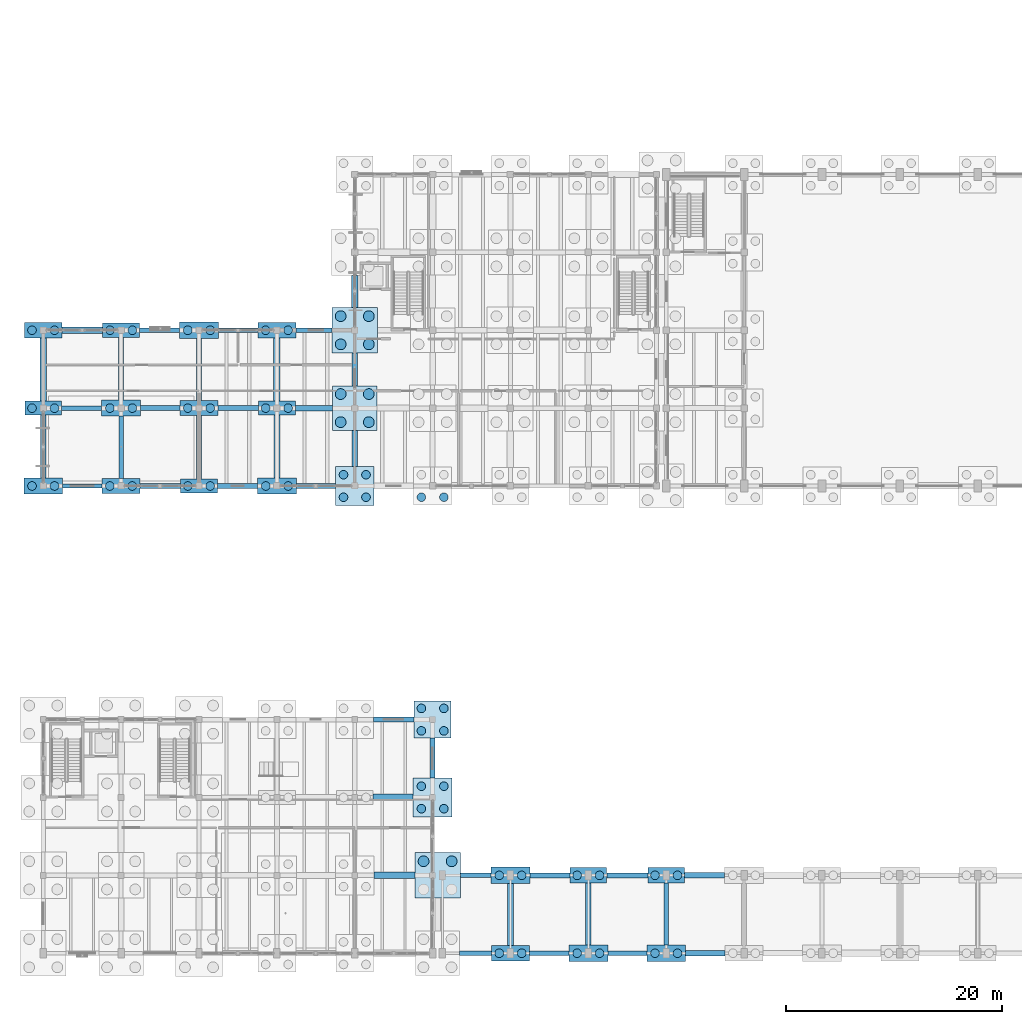
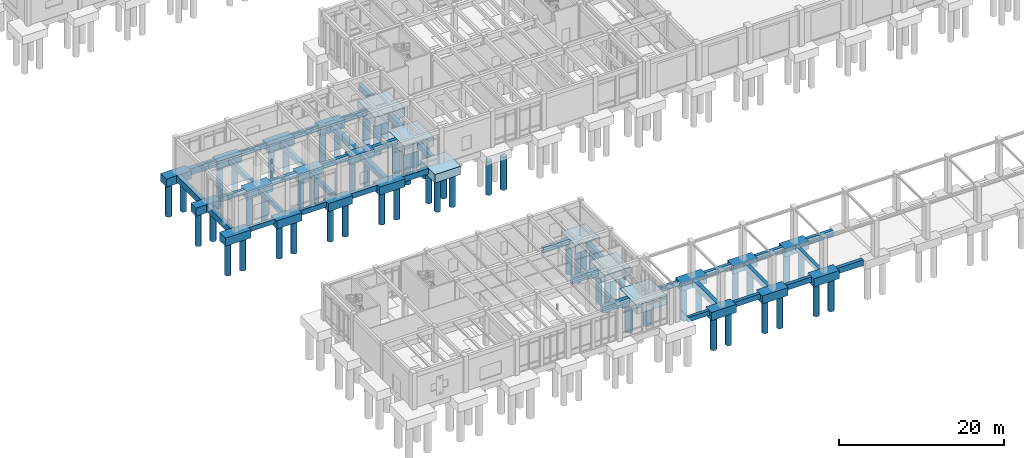
# One storey, part 2 of 93: 62 footings, 60 piles.
"""IFC4 building model written with IfcOpenShell, lengths in metres."""

from ifc_helpers import new_model, si_unit, direction, frame, origin, origin_2d, place, context, subcontext, project, spatial, rectangle, circle, extrude, material, material_profile, profile_set, type_object, element, save


model = new_model("IFC4")

# Units and contexts
model_context = context("Model", 3, precision=1e-05, world=origin(), true_north=direction((0.0, 1.0)))
body_context = subcontext(model_context, "Body", "Model", "MODEL_VIEW")
ifc_project = project(units=[si_unit("LENGTHUNIT", "METRE"), si_unit("AREAUNIT", "SQUARE_METRE"), si_unit("VOLUMEUNIT", "CUBIC_METRE"), si_unit("PLANEANGLEUNIT", "RADIAN"), si_unit("MASSUNIT", "GRAM", prefix="KILO")], contexts=[model_context])

# Site, building, storey
site_placement = place(None, origin())
site = spatial("IfcSite", under=ifc_project, at=site_placement, CompositionType="ELEMENT")
building_placement = place(site_placement, origin())
building = spatial("IfcBuilding", under=site, at=building_placement, Name="Koriwan Promenade Central Fire Station", CompositionType="ELEMENT")
storey_placement = place(building_placement, origin())
storey = spatial("IfcBuildingStorey", under=building, at=storey_placement, Name="L00", CompositionType="ELEMENT", Elevation=0.0)

# Piles
ifc_material = material(Name="Concrete C35/45", Category="concrete")
ifc_material_profile_1 = material_profile(ifc_material, circle(Radius=0.5, at=origin_2d()), Name="PILE-D1000")
ifc_profile_set_1 = profile_set([ifc_material_profile_1], Name="Concrete C35/45")
pile_type_1 = type_object("IfcPileType", Name="BoredPile_1000", PredefinedType="BORED", material=ifc_profile_set_1)
for number, where, z_axis, x_axis, name in (
    (1, (27.5, 49.10009765625, -1.14990234375), (0.0, 0.0, -1.0), (1.0, 0.0, 0.0), "Bored pile PCAP_048-11"),
    (2, (27.5, 51.699951171875, -1.14990234375), (0.0, 0.0, -1.0), (1.0, 0.0, 0.0), "Bored pile PCAP_048-12"),
    (3, (30.10009765625, 49.10009765625, -1.14990234375), (0.0, 0.0, -1.0), (1.0, 0.0, 0.0), "Bored pile PCAP_048-21"),
    (4, (30.10009765625, 51.699951171875, -1.14990234375), (0.0, 0.0, -1.0), (1.0, 0.0, 0.0), "Bored pile PCAP_048-22"),
    (5, (27.5, 56.300048828125, -1.14990234375), (0.0, 0.0, -1.0), (1.0, 0.0, 0.0), "Bored pile PCAP_049-11"),
    (6, (27.5, 58.89990234375, -1.14990234375), (0.0, 0.0, -1.0), (1.0, 0.0, 0.0), "Bored pile PCAP_049-12"),
    (7, (30.10009765625, 56.300048828125, -1.14990234375), (0.0, 0.0, -1.0), (1.0, 0.0, 0.0), "Bored pile PCAP_049-21"),
    (8, (30.10009765625, 58.89990234375, -1.14990234375), (0.0, 0.0, -1.0), (1.0, 0.0, 0.0), "Bored pile PCAP_049-22"),
    (9, (35.16259765625, 8.5, -1.14990234375), (0.0, 0.0, -1.0), (1.0, 0.0, 0.0), "Bored pile PCAP_055-12"),
    (10, (37.762451171875, 8.5, -1.14990234375), (0.0, 0.0, -1.0), (1.0, 0.0, 0.0), "Bored pile PCAP_055-22"),
):
    element("IfcPile", number, at=place(storey_placement, frame(where, z_axis=z_axis, x_axis=x_axis)), inside=storey, type_object=pile_type_1, Name=name, PredefinedType="BORED", context=body_context, shape_type="SweptSolid", body=[
        extrude(circle(Radius=0.5, at=origin_2d()), origin(), (0.0, 0.0, 1.0), 4.89990234375),
    ])
ifc_material_profile_2 = material_profile(ifc_material, circle(Radius=0.39990234375, at=origin_2d()), Name="PILE-D800")
ifc_profile_set_2 = profile_set([ifc_material_profile_2], Name="Concrete C35/45")
pile_type_2 = type_object("IfcPileType", Name="BoredPile_800", PredefinedType="BORED", material=ifc_profile_set_2)
for number, where, z_axis, x_axis, name in (
    (11, (-1.0400390625, 43.199951171875, -1.050048828125), (0.0, 0.0, -1.0), (1.0, 0.0, 0.0), "Bored pile PCAP_005-11"),
    (12, (1.0400390625, 43.199951171875, -1.050048828125), (0.0, 0.0, -1.0), (1.0, 0.0, 0.0), "Bored pile PCAP_005-21"),
    (13, (-1.0400390625, 50.39990234375, -1.050048828125), (0.0, 0.0, -1.0), (1.0, 0.0, 0.0), "Bored pile PCAP_006-11"),
    (14, (1.0400390625, 50.39990234375, -1.050048828125), (0.0, 0.0, -1.0), (1.0, 0.0, 0.0), "Bored pile PCAP_006-21"),
    (15, (-1.0400390625, 57.60009765625, -1.050048828125), (0.0, 0.0, -1.0), (1.0, 0.0, 0.0), "Bored pile PCAP_007-11"),
    (16, (1.0400390625, 57.60009765625, -1.050048828125), (0.0, 0.0, -1.0), (1.0, 0.0, 0.0), "Bored pile PCAP_007-21"),
    (17, (6.159912109375, 43.199951171875, -1.050048828125), (0.0, 0.0, -1.0), (1.0, 0.0, 0.0), "Bored pile PCAP_016-11"),
    (18, (8.239990234375, 43.199951171875, -1.050048828125), (0.0, 0.0, -1.0), (1.0, 0.0, 0.0), "Bored pile PCAP_016-21"),
    (19, (6.159912109375, 50.39990234375, -1.050048828125), (0.0, 0.0, -1.0), (1.0, 0.0, 0.0), "Bored pile PCAP_017-11"),
    (20, (8.239990234375, 50.39990234375, -1.050048828125), (0.0, 0.0, -1.0), (1.0, 0.0, 0.0), "Bored pile PCAP_017-21"),
    (21, (6.159912109375, 57.60009765625, -1.050048828125), (0.0, 0.0, -1.0), (1.0, 0.0, 0.0), "Bored pile PCAP_018-11"),
    (22, (8.239990234375, 57.60009765625, -1.050048828125), (0.0, 0.0, -1.0), (1.0, 0.0, 0.0), "Bored pile PCAP_018-21"),
    (23, (13.360107421875, 43.199951171875, -1.050048828125), (0.0, 0.0, -1.0), (1.0, 0.0, 0.0), "Bored pile PCAP_027-11"),
    (24, (15.43994140625, 43.199951171875, -1.050048828125), (0.0, 0.0, -1.0), (1.0, 0.0, 0.0), "Bored pile PCAP_027-21"),
    (25, (13.360107421875, 50.39990234375, -1.050048828125), (0.0, 0.0, -1.0), (1.0, 0.0, 0.0), "Bored pile PCAP_028-11"),
    (26, (15.43994140625, 50.39990234375, -1.050048828125), (0.0, 0.0, -1.0), (1.0, 0.0, 0.0), "Bored pile PCAP_028-21"),
    (27, (13.360107421875, 57.60009765625, -1.050048828125), (0.0, 0.0, -1.0), (1.0, 0.0, 0.0), "Bored pile PCAP_029-11"),
    (28, (15.43994140625, 57.60009765625, -1.050048828125), (0.0, 0.0, -1.0), (1.0, 0.0, 0.0), "Bored pile PCAP_029-21"),
    (29, (20.56005859375, 43.199951171875, -1.050048828125), (0.0, 0.0, -1.0), (1.0, 0.0, 0.0), "Bored pile PCAP_038-11"),
    (30, (22.639892578125, 43.199951171875, -1.050048828125), (0.0, 0.0, -1.0), (1.0, 0.0, 0.0), "Bored pile PCAP_038-21"),
    (31, (20.56005859375, 50.39990234375, -1.050048828125), (0.0, 0.0, -1.0), (1.0, 0.0, 0.0), "Bored pile PCAP_039-11"),
    (32, (22.639892578125, 50.39990234375, -1.050048828125), (0.0, 0.0, -1.0), (1.0, 0.0, 0.0), "Bored pile PCAP_039-21"),
    (33, (20.56005859375, 57.60009765625, -1.050048828125), (0.0, 0.0, -1.0), (1.0, 0.0, 0.0), "Bored pile PCAP_040-11"),
    (34, (22.639892578125, 57.60009765625, -1.050048828125), (0.0, 0.0, -1.0), (1.0, 0.0, 0.0), "Bored pile PCAP_040-21"),
):
    element("IfcPile", number, at=place(storey_placement, frame(where, z_axis=z_axis, x_axis=x_axis)), inside=storey, type_object=pile_type_2, Name=name, PredefinedType="BORED", context=body_context, shape_type="SweptSolid", body=[
        extrude(circle(Radius=0.39990234375, at=origin_2d()), origin(), (0.0, 0.0, 1.0), 5.0),
    ])
for number, where, z_axis, x_axis, name in (
    (35, (27.760009765625, 42.159912109375, -1.10009765625), (0.0, 0.0, -1.0), (1.0, 0.0, 0.0), "Bored pile PCAP_047-11"),
    (36, (27.760009765625, 44.239990234375, -1.10009765625), (0.0, 0.0, -1.0), (1.0, 0.0, 0.0), "Bored pile PCAP_047-12"),
    (37, (29.840087890625, 42.159912109375, -1.10009765625), (0.0, 0.0, -1.0), (1.0, 0.0, 0.0), "Bored pile PCAP_047-21"),
    (38, (29.840087890625, 44.239990234375, -1.10009765625), (0.0, 0.0, -1.0), (1.0, 0.0, 0.0), "Bored pile PCAP_047-22"),
    (39, (34.9599609375, 13.360107421875, -1.10009765625), (0.0, 0.0, -1.0), (1.0, 0.0, 0.0), "Bored pile PCAP_056-11"),
    (40, (34.9599609375, 15.43994140625, -1.10009765625), (0.0, 0.0, -1.0), (1.0, 0.0, 0.0), "Bored pile PCAP_056-12"),
    (41, (37.0400390625, 13.360107421875, -1.10009765625), (0.0, 0.0, -1.0), (1.0, 0.0, 0.0), "Bored pile PCAP_056-21"),
    (42, (37.0400390625, 15.43994140625, -1.10009765625), (0.0, 0.0, -1.0), (1.0, 0.0, 0.0), "Bored pile PCAP_056-22"),
    (43, (34.9599609375, 20.56005859375, -1.10009765625), (0.0, 0.0, -1.0), (1.0, 0.0, 0.0), "Bored pile PCAP_057-11"),
    (44, (34.9599609375, 22.639892578125, -1.10009765625), (0.0, 0.0, -1.0), (1.0, 0.0, 0.0), "Bored pile PCAP_057-12"),
    (45, (37.0400390625, 20.56005859375, -1.10009765625), (0.0, 0.0, -1.0), (1.0, 0.0, 0.0), "Bored pile PCAP_057-21"),
    (46, (37.0400390625, 22.639892578125, -1.10009765625), (0.0, 0.0, -1.0), (1.0, 0.0, 0.0), "Bored pile PCAP_057-22"),
    (47, (34.9599609375, 42.159912109375, -1.10009765625), (0.0, 0.0, -1.0), (1.0, 0.0, 0.0), "Bored pile PCAP_058-11"),
    (48, (37.0400390625, 42.159912109375, -1.10009765625), (0.0, 0.0, -1.0), (1.0, 0.0, 0.0), "Bored pile PCAP_058-21"),
):
    element("IfcPile", number, at=place(storey_placement, frame(where, z_axis=z_axis, x_axis=x_axis)), inside=storey, type_object=pile_type_2, Name=name, PredefinedType="BORED", context=body_context, shape_type="SweptSolid", body=[
        extrude(circle(Radius=0.39990234375, at=origin_2d()), origin(), (0.0, 0.0, 1.0), 4.949951171875),
    ])
for number, where, z_axis, x_axis, name in (
    (49, (42.159912109375, 0.0, -1.050048828125), (0.0, 0.0, -1.0), (1.0, 0.0, 0.0), "Bored pile PCAP_067-11"),
    (50, (44.239990234375, 0.0, -1.050048828125), (0.0, 0.0, -1.0), (1.0, 0.0, 0.0), "Bored pile PCAP_067-21"),
    (51, (42.159912109375, 7.199951171875, -1.050048828125), (0.0, 0.0, -1.0), (1.0, 0.0, 0.0), "Bored pile PCAP_068-11"),
    (52, (44.239990234375, 7.199951171875, -1.050048828125), (0.0, 0.0, -1.0), (1.0, 0.0, 0.0), "Bored pile PCAP_068-21"),
    (53, (49.360107421875, 0.0, -1.050048828125), (0.0, 0.0, -1.0), (1.0, 0.0, 0.0), "Bored pile PCAP_074-11"),
    (54, (51.43994140625, 0.0, -1.050048828125), (0.0, 0.0, -1.0), (1.0, 0.0, 0.0), "Bored pile PCAP_074-21"),
    (55, (49.360107421875, 7.199951171875, -1.050048828125), (0.0, 0.0, -1.0), (1.0, 0.0, 0.0), "Bored pile PCAP_075-11"),
    (56, (51.43994140625, 7.199951171875, -1.050048828125), (0.0, 0.0, -1.0), (1.0, 0.0, 0.0), "Bored pile PCAP_075-21"),
    (57, (56.56005859375, 0.0, -1.050048828125), (0.0, 0.0, -1.0), (1.0, 0.0, 0.0), "Bored pile PCAP_086-11"),
    (58, (58.639892578125, 0.0, -1.050048828125), (0.0, 0.0, -1.0), (1.0, 0.0, 0.0), "Bored pile PCAP_086-21"),
    (59, (56.56005859375, 7.199951171875, -1.050048828125), (0.0, 0.0, -1.0), (1.0, 0.0, 0.0), "Bored pile PCAP_087-11"),
    (60, (58.639892578125, 7.199951171875, -1.050048828125), (0.0, 0.0, -1.0), (1.0, 0.0, 0.0), "Bored pile PCAP_087-21"),
):
    element("IfcPile", number, at=place(storey_placement, frame(where, z_axis=z_axis, x_axis=x_axis)), inside=storey, type_object=pile_type_2, Name=name, PredefinedType="BORED", context=body_context, shape_type="SweptSolid", body=[
        extrude(circle(Radius=0.39990234375, at=origin_2d()), origin(), (0.0, 0.0, 1.0), 5.0),
    ])

# Footings
footing_type_1 = type_object("IfcFootingType", Name="GroundTieBeam_400x700", PredefinedType="FOOTING_BEAM", material=ifc_material)
footing_1_placement = place(storey_placement, frame((39.97509765625, 0.0, -0.7001953125), z_axis=(0.0, 0.0, 1.0), x_axis=(1.0, 0.0, 0.0)))
element("IfcFooting", 61, at=footing_1_placement, inside=storey, type_object=footing_type_1, Name="Seismic tie beam X-006", PredefinedType="FOOTING_BEAM", context=body_context, shape_type="SweptSolid", body=[
    extrude(rectangle(XDim=2.949951171875, YDim=0.39990234375, at=origin_2d()), origin(), (0.0, 0.0, 1.0), 0.699951171875),
])
footing_2_placement = place(storey_placement, frame((39.981201171875, 7.199951171875, -0.7001953125), z_axis=(0.0, 0.0, 1.0), x_axis=(1.0, 0.0, 0.0)))
element("IfcFooting", 62, at=footing_2_placement, inside=storey, type_object=footing_type_1, Name="Seismic tie beam X-030", PredefinedType="FOOTING_BEAM", context=body_context, shape_type="SweptSolid", body=[
    extrude(rectangle(XDim=2.83740234375, YDim=0.39990234375, at=origin_2d()), origin(), (0.0, 0.0, 1.0), 0.699951171875),
])
footing_3_placement = place(storey_placement, frame((3.625, 43.199951171875, -0.7001953125), z_axis=(0.0, 0.0, 1.0), x_axis=(1.0, 0.0, 0.0)))
element("IfcFooting", 63, at=footing_3_placement, inside=storey, type_object=footing_type_1, Name="Seismic tie beam X-072", PredefinedType="FOOTING_BEAM", context=body_context, shape_type="SweptSolid", body=[
    extrude(rectangle(XDim=3.64990234375, YDim=0.39990234375, at=origin_2d()), origin(), (0.0, 0.0, 1.0), 0.699951171875),
])
for number, where, z_axis, x_axis, name in (
    (64, (3.550048828125, 50.39990234375, -0.7001953125), (0.0, 0.0, 1.0), (1.0, 0.0, 0.0), "Seismic tie beam X-096"),
    (65, (10.75, 57.60009765625, -0.7001953125), (0.0, 0.0, 1.0), (1.0, 0.0, 0.0), "Seismic tie beam X-114"),
):
    element("IfcFooting", number, at=place(storey_placement, frame(where, z_axis=z_axis, x_axis=x_axis)), inside=storey, type_object=footing_type_1, Name=name, PredefinedType="FOOTING_BEAM", context=body_context, shape_type="SweptSolid", body=[
        extrude(rectangle(XDim=3.699951171875, YDim=0.39990234375, at=origin_2d()), origin(), (0.0, 0.0, 1.0), 0.699951171875),
    ])
footing_4_placement = place(storey_placement, frame((7.199951171875, 46.77490234375, -0.7001953125), z_axis=(0.0, 0.0, 1.0), x_axis=(0.0, 1.0, 0.0)))
element("IfcFooting", 66, at=footing_4_placement, inside=storey, type_object=footing_type_1, Name="Seismic tie beam Y-192", PredefinedType="FOOTING_BEAM", context=body_context, shape_type="SweptSolid", body=[
    extrude(rectangle(XDim=5.75, YDim=0.39990234375, at=origin_2d()), origin(), (0.0, 0.0, 1.0), 0.699951171875),
])
footing_5_placement = place(storey_placement, frame((57.60009765625, 3.612548828125, -0.7001953125), z_axis=(0.0, 0.0, 1.0), x_axis=(0.0, 1.0, 0.0)))
element("IfcFooting", 67, at=footing_5_placement, inside=storey, type_object=footing_type_1, Name="Seismic tie beam Y-240", PredefinedType="FOOTING_BEAM", context=body_context, shape_type="SweptSolid", body=[
    extrude(rectangle(XDim=5.72509765625, YDim=0.39990234375, at=origin_2d()), origin(), (0.0, 0.0, 1.0), 0.699951171875),
])
footing_type_2 = type_object("IfcFootingType", Name="GroundTieBeam_450x750", PredefinedType="FOOTING_BEAM", material=ifc_material)
footing_6_placement = place(storey_placement, frame((46.77490234375, 0.0, -0.75), z_axis=(0.0, 0.0, 1.0), x_axis=(1.0, 0.0, 0.0)))
element("IfcFooting", 68, at=footing_6_placement, inside=storey, type_object=footing_type_2, Name="Seismic tie beam X-007", PredefinedType="FOOTING_BEAM", context=body_context, shape_type="SweptSolid", body=[
    extrude(rectangle(XDim=3.64990234375, YDim=0.449951171875, at=origin_2d()), origin(), (0.0, 0.0, 1.0), 0.75),
])
footing_7_placement = place(storey_placement, frame((46.85009765625, 7.199951171875, -0.75), z_axis=(0.0, 0.0, 1.0), x_axis=(1.0, 0.0, 0.0)))
element("IfcFooting", 69, at=footing_7_placement, inside=storey, type_object=footing_type_2, Name="Seismic tie beam X-031", PredefinedType="FOOTING_BEAM", context=body_context, shape_type="SweptSolid", body=[
    extrude(rectangle(XDim=3.699951171875, YDim=0.449951171875, at=origin_2d()), origin(), (0.0, 0.0, 1.0), 0.75),
])
footing_8_placement = place(storey_placement, frame((10.824951171875, 43.199951171875, -0.75), z_axis=(0.0, 0.0, 1.0), x_axis=(1.0, 0.0, 0.0)))
element("IfcFooting", 70, at=footing_8_placement, inside=storey, type_object=footing_type_2, Name="Seismic tie beam X-073", PredefinedType="FOOTING_BEAM", context=body_context, shape_type="SweptSolid", body=[
    extrude(rectangle(XDim=3.75, YDim=0.449951171875, at=origin_2d()), origin(), (0.0, 0.0, 1.0), 0.75),
])
for number, where, z_axis, x_axis, name in (
    (71, (10.824951171875, 50.39990234375, -0.75), (0.0, 0.0, 1.0), (1.0, 0.0, 0.0), "Seismic tie beam X-097"),
    (72, (18.02490234375, 57.60009765625, -0.75), (0.0, 0.0, 1.0), (1.0, 0.0, 0.0), "Seismic tie beam X-115"),
):
    element("IfcFooting", number, at=place(storey_placement, frame(where, z_axis=z_axis, x_axis=x_axis)), inside=storey, type_object=footing_type_2, Name=name, PredefinedType="FOOTING_BEAM", context=body_context, shape_type="SweptSolid", body=[
        extrude(rectangle(XDim=3.64990234375, YDim=0.449951171875, at=origin_2d()), origin(), (0.0, 0.0, 1.0), 0.75),
    ])
footing_9_placement = place(storey_placement, frame((7.199951171875, 54.050048828125, -0.75), z_axis=(0.0, 0.0, 1.0), x_axis=(0.0, 1.0, 0.0)))
element("IfcFooting", 73, at=footing_9_placement, inside=storey, type_object=footing_type_2, Name="Seismic tie beam Y-193", PredefinedType="FOOTING_BEAM", context=body_context, shape_type="SweptSolid", body=[
    extrude(rectangle(XDim=5.800048828125, YDim=0.449951171875, at=origin_2d()), origin(), (0.0, 0.0, 1.0), 0.75),
])
footing_10_placement = place(storey_placement, frame((36.0, 18.050048828125, -0.75), z_axis=(0.0, 0.0, 1.0), x_axis=(0.0, 1.0, 0.0)))
element("IfcFooting", 74, at=footing_10_placement, inside=storey, type_object=footing_type_2, Name="Seismic tie beam Y-217", PredefinedType="FOOTING_BEAM", context=body_context, shape_type="SweptSolid", body=[
    extrude(rectangle(XDim=3.699951171875, YDim=0.449951171875, at=origin_2d()), origin(), (0.0, 0.0, 1.0), 0.75),
])
footing_type_3 = type_object("IfcFootingType", Name="GroundTieBeam_450x800", PredefinedType="FOOTING_BEAM", material=ifc_material)
footing_11_placement = place(storey_placement, frame((54.0, 0.0, -0.7998046875), z_axis=(0.0, 0.0, 1.0), x_axis=(1.0, 0.0, 0.0)))
element("IfcFooting", 75, at=footing_11_placement, inside=storey, type_object=footing_type_3, Name="Seismic tie beam X-008", PredefinedType="FOOTING_BEAM", context=body_context, shape_type="SweptSolid", body=[
    extrude(rectangle(XDim=3.60009765625, YDim=0.449951171875, at=origin_2d()), origin(), (0.0, 0.0, 1.0), 0.800048828125),
])
footing_12_placement = place(storey_placement, frame((54.0, 7.199951171875, -0.7998046875), z_axis=(0.0, 0.0, 1.0), x_axis=(1.0, 0.0, 0.0)))
element("IfcFooting", 76, at=footing_12_placement, inside=storey, type_object=footing_type_3, Name="Seismic tie beam X-032", PredefinedType="FOOTING_BEAM", context=body_context, shape_type="SweptSolid", body=[
    extrude(rectangle(XDim=3.800048828125, YDim=0.449951171875, at=origin_2d()), origin(), (0.0, 0.0, 1.0), 0.800048828125),
])
footing_13_placement = place(storey_placement, frame((32.425048828125, 21.60009765625, -0.7998046875), z_axis=(0.0, 0.0, 1.0), x_axis=(1.0, 0.0, 0.0)))
element("IfcFooting", 77, at=footing_13_placement, inside=storey, type_object=footing_type_3, Name="Seismic tie beam X-062", PredefinedType="FOOTING_BEAM", context=body_context, shape_type="SweptSolid", body=[
    extrude(rectangle(XDim=3.75, YDim=0.449951171875, at=origin_2d()), origin(), (0.0, 0.0, 1.0), 0.800048828125),
])
footing_14_placement = place(storey_placement, frame((17.949951171875, 43.199951171875, -0.7998046875), z_axis=(0.0, 0.0, 1.0), x_axis=(1.0, 0.0, 0.0)))
element("IfcFooting", 78, at=footing_14_placement, inside=storey, type_object=footing_type_3, Name="Seismic tie beam X-074", PredefinedType="FOOTING_BEAM", context=body_context, shape_type="SweptSolid", body=[
    extrude(rectangle(XDim=3.699951171875, YDim=0.449951171875, at=origin_2d()), origin(), (0.0, 0.0, 1.0), 0.800048828125),
])
footing_15_placement = place(storey_placement, frame((18.02490234375, 50.39990234375, -0.7998046875), z_axis=(0.0, 0.0, 1.0), x_axis=(1.0, 0.0, 0.0)))
element("IfcFooting", 79, at=footing_15_placement, inside=storey, type_object=footing_type_3, Name="Seismic tie beam X-098", PredefinedType="FOOTING_BEAM", context=body_context, shape_type="SweptSolid", body=[
    extrude(rectangle(XDim=3.75, YDim=0.449951171875, at=origin_2d()), origin(), (0.0, 0.0, 1.0), 0.800048828125),
])
footing_16_placement = place(storey_placement, frame((25.02490234375, 57.60009765625, -0.7998046875), z_axis=(0.0, 0.0, 1.0), x_axis=(1.0, 0.0, 0.0)))
element("IfcFooting", 80, at=footing_16_placement, inside=storey, type_object=footing_type_3, Name="Seismic tie beam X-116", PredefinedType="FOOTING_BEAM", context=body_context, shape_type="SweptSolid", body=[
    extrude(rectangle(XDim=3.35009765625, YDim=0.449951171875, at=origin_2d()), origin(), (0.0, 0.0, 1.0), 0.800048828125),
])
footing_17_placement = place(storey_placement, frame((14.39990234375, 46.77490234375, -0.7998046875), z_axis=(0.0, 0.0, 1.0), x_axis=(0.0, 1.0, 0.0)))
element("IfcFooting", 81, at=footing_17_placement, inside=storey, type_object=footing_type_3, Name="Seismic tie beam Y-200", PredefinedType="FOOTING_BEAM", context=body_context, shape_type="SweptSolid", body=[
    extrude(rectangle(XDim=5.85009765625, YDim=0.449951171875, at=origin_2d()), origin(), (0.0, 0.0, 1.0), 0.800048828125),
])
footing_type_4 = type_object("IfcFootingType", Name="GroundTieBeam_500x850", PredefinedType="FOOTING_BEAM", material=ifc_material)
footing_18_placement = place(storey_placement, frame((61.22509765625, 0.0, -0.85009765625), z_axis=(0.0, 0.0, 1.0), x_axis=(1.0, 0.0, 0.0)))
element("IfcFooting", 82, at=footing_18_placement, inside=storey, type_object=footing_type_4, Name="Seismic tie beam X-009", PredefinedType="FOOTING_BEAM", context=body_context, shape_type="SweptSolid", body=[
    extrude(rectangle(XDim=3.64990234375, YDim=0.5, at=origin_2d()), origin(), (0.0, 0.0, 1.0), 0.85009765625),
])
footing_19_placement = place(storey_placement, frame((61.14990234375, 7.199951171875, -0.85009765625), z_axis=(0.0, 0.0, 1.0), x_axis=(1.0, 0.0, 0.0)))
element("IfcFooting", 83, at=footing_19_placement, inside=storey, type_object=footing_type_4, Name="Seismic tie beam X-033", PredefinedType="FOOTING_BEAM", context=body_context, shape_type="SweptSolid", body=[
    extrude(rectangle(XDim=3.699951171875, YDim=0.5, at=origin_2d()), origin(), (0.0, 0.0, 1.0), 0.85009765625),
])
footing_20_placement = place(storey_placement, frame((25.199951171875, 43.199951171875, -0.85009765625), z_axis=(0.0, 0.0, 1.0), x_axis=(1.0, 0.0, 0.0)))
element("IfcFooting", 84, at=footing_20_placement, inside=storey, type_object=footing_type_4, Name="Seismic tie beam X-075", PredefinedType="FOOTING_BEAM", context=body_context, shape_type="SweptSolid", body=[
    extrude(rectangle(XDim=3.60009765625, YDim=0.5, at=origin_2d()), origin(), (0.0, 0.0, 1.0), 0.85009765625),
])
footing_21_placement = place(storey_placement, frame((25.02490234375, 50.39990234375, -0.85009765625), z_axis=(0.0, 0.0, 1.0), x_axis=(1.0, 0.0, 0.0)))
element("IfcFooting", 85, at=footing_21_placement, inside=storey, type_object=footing_type_4, Name="Seismic tie beam X-099", PredefinedType="FOOTING_BEAM", context=body_context, shape_type="SweptSolid", body=[
    extrude(rectangle(XDim=3.449951171875, YDim=0.5, at=origin_2d()), origin(), (0.0, 0.0, 1.0), 0.85009765625),
])
footing_22_placement = place(storey_placement, frame((14.39990234375, 53.97509765625, -0.85009765625), z_axis=(0.0, 0.0, 1.0), x_axis=(0.0, 1.0, 0.0)))
element("IfcFooting", 86, at=footing_22_placement, inside=storey, type_object=footing_type_4, Name="Seismic tie beam Y-201", PredefinedType="FOOTING_BEAM", context=body_context, shape_type="SweptSolid", body=[
    extrude(rectangle(XDim=5.75, YDim=0.5, at=origin_2d()), origin(), (0.0, 0.0, 1.0), 0.85009765625),
])
footing_23_placement = place(storey_placement, frame((28.800048828125, 46.675048828125, -0.85009765625), z_axis=(0.0, 0.0, 1.0), x_axis=(0.0, 1.0, 0.0)))
element("IfcFooting", 87, at=footing_23_placement, inside=storey, type_object=footing_type_4, Name="Seismic tie beam Y-213", PredefinedType="FOOTING_BEAM", context=body_context, shape_type="SweptSolid", body=[
    extrude(rectangle(XDim=3.35009765625, YDim=0.5, at=origin_2d()), origin(), (0.0, 0.0, 1.0), 0.85009765625),
])
footing_24_placement = place(storey_placement, frame((50.39990234375, 3.612548828125, -0.85009765625), z_axis=(0.0, 0.0, 1.0), x_axis=(0.0, 1.0, 0.0)))
element("IfcFooting", 88, at=footing_24_placement, inside=storey, type_object=footing_type_4, Name="Seismic tie beam Y-231", PredefinedType="FOOTING_BEAM", context=body_context, shape_type="SweptSolid", body=[
    extrude(rectangle(XDim=5.72509765625, YDim=0.5, at=origin_2d()), origin(), (0.0, 0.0, 1.0), 0.85009765625),
])
footing_type_5 = type_object("IfcFootingType", Name="GroundTieBeam_550x900", PredefinedType="FOOTING_BEAM", material=ifc_material)
for number, where, z_axis, x_axis, name in (
    (89, (0.0, 46.85009765625, -0.89990234375), (0.0, 0.0, 1.0), (0.0, 1.0, 0.0), "Seismic tie beam Y-184"),
    (90, (21.60009765625, 46.85009765625, -0.89990234375), (0.0, 0.0, 1.0), (0.0, 1.0, 0.0), "Seismic tie beam Y-208"),
):
    element("IfcFooting", number, at=place(storey_placement, frame(where, z_axis=z_axis, x_axis=x_axis)), inside=storey, type_object=footing_type_5, Name=name, PredefinedType="FOOTING_BEAM", context=body_context, shape_type="SweptSolid", body=[
        extrude(rectangle(XDim=5.800048828125, YDim=0.550048828125, at=origin_2d()), origin(), (0.0, 0.0, 1.0), 0.89990234375),
    ])
footing_25_placement = place(storey_placement, frame((28.800048828125, 53.97509765625, -0.89990234375), z_axis=(0.0, 0.0, 1.0), x_axis=(0.0, 1.0, 0.0)))
element("IfcFooting", 91, at=footing_25_placement, inside=storey, type_object=footing_type_5, Name="Seismic tie beam Y-214", PredefinedType="FOOTING_BEAM", context=body_context, shape_type="SweptSolid", body=[
    extrude(rectangle(XDim=3.050048828125, YDim=0.550048828125, at=origin_2d()), origin(), (0.0, 0.0, 1.0), 0.89990234375),
])
footing_26_placement = place(storey_placement, frame((43.199951171875, 3.574951171875, -0.89990234375), z_axis=(0.0, 0.0, 1.0), x_axis=(0.0, 1.0, 0.0)))
element("IfcFooting", 92, at=footing_26_placement, inside=storey, type_object=footing_type_5, Name="Seismic tie beam Y-226", PredefinedType="FOOTING_BEAM", context=body_context, shape_type="SweptSolid", body=[
    extrude(rectangle(XDim=5.75, YDim=0.550048828125, at=origin_2d()), origin(), (0.0, 0.0, 1.0), 0.89990234375),
])
footing_type_6 = type_object("IfcFootingType", Name="GroundTieBeam_600x950", PredefinedType="FOOTING_BEAM", material=ifc_material)
footing_27_placement = place(storey_placement, frame((32.481201171875, 7.199951171875, -0.9501953125), z_axis=(0.0, 0.0, 1.0), x_axis=(1.0, 0.0, 0.0)))
element("IfcFooting", 93, at=footing_27_placement, inside=storey, type_object=footing_type_6, Name="Seismic tie beam X-029", PredefinedType="FOOTING_BEAM", context=body_context, shape_type="SweptSolid", body=[
    extrude(rectangle(XDim=3.762451171875, YDim=0.60009765625, at=origin_2d()), origin(), (0.0, 0.0, 1.0), 0.949951171875),
])
footing_28_placement = place(storey_placement, frame((32.35009765625, 14.39990234375, -0.9501953125), z_axis=(0.0, 0.0, 1.0), x_axis=(1.0, 0.0, 0.0)))
element("IfcFooting", 94, at=footing_28_placement, inside=storey, type_object=footing_type_6, Name="Seismic tie beam X-053", PredefinedType="FOOTING_BEAM", context=body_context, shape_type="SweptSolid", body=[
    extrude(rectangle(XDim=3.699951171875, YDim=0.60009765625, at=origin_2d()), origin(), (0.0, 0.0, 1.0), 0.949951171875),
])
footing_29_placement = place(storey_placement, frame((3.625, 57.60009765625, -0.9501953125), z_axis=(0.0, 0.0, 1.0), x_axis=(1.0, 0.0, 0.0)))
element("IfcFooting", 95, at=footing_29_placement, inside=storey, type_object=footing_type_6, Name="Seismic tie beam X-113", PredefinedType="FOOTING_BEAM", context=body_context, shape_type="SweptSolid", body=[
    extrude(rectangle(XDim=3.75, YDim=0.60009765625, at=origin_2d()), origin(), (0.0, 0.0, 1.0), 0.949951171875),
])
for number, where, z_axis, x_axis, name in (
    (96, (0.0, 53.97509765625, -0.9501953125), (0.0, 0.0, 1.0), (0.0, 1.0, 0.0), "Seismic tie beam Y-185"),
    (97, (21.60009765625, 53.97509765625, -0.9501953125), (0.0, 0.0, 1.0), (0.0, 1.0, 0.0), "Seismic tie beam Y-209"),
):
    element("IfcFooting", number, at=place(storey_placement, frame(where, z_axis=z_axis, x_axis=x_axis)), inside=storey, type_object=footing_type_6, Name=name, PredefinedType="FOOTING_BEAM", context=body_context, shape_type="SweptSolid", body=[
        extrude(rectangle(XDim=5.85009765625, YDim=0.60009765625, at=origin_2d()), origin(), (0.0, 0.0, 1.0), 0.949951171875),
    ])
footing_30_placement = place(storey_placement, frame((28.800048828125, 61.175048828125, -0.9501953125), z_axis=(0.0, 0.0, 1.0), x_axis=(0.0, 1.0, 0.0)))
element("IfcFooting", 98, at=footing_30_placement, inside=storey, type_object=footing_type_6, Name="Seismic tie beam Y-215", PredefinedType="FOOTING_BEAM", context=body_context, shape_type="SweptSolid", body=[
    extrude(rectangle(XDim=2.949951171875, YDim=0.60009765625, at=origin_2d()), origin(), (0.0, 0.0, 1.0), 0.949951171875),
])
footing_type_7 = type_object("IfcFootingType", Name="PileCap_3400x1300x1200", PredefinedType="PILE_CAP", material=ifc_material)
for number, where, z_axis, x_axis, name in (
    (99, (0.0, 50.39990234375, -1.2001953125), (0.0, 0.0, 1.0), (1.0, 0.0, 0.0), "Pile cap PCAP_006 (3400x1300x1200)"),
    (100, (7.199951171875, 57.60009765625, -1.2001953125), (0.0, 0.0, 1.0), (1.0, 0.0, 0.0), "Pile cap PCAP_018 (3400x1300x1200)"),
    (101, (14.39990234375, 43.199951171875, -1.2001953125), (0.0, 0.0, 1.0), (1.0, 0.0, 0.0), "Pile cap PCAP_027 (3400x1300x1200)"),
    (102, (21.60009765625, 50.39990234375, -1.2001953125), (0.0, 0.0, 1.0), (1.0, 0.0, 0.0), "Pile cap PCAP_039 (3400x1300x1200)"),
):
    element("IfcFooting", number, at=place(storey_placement, frame(where, z_axis=z_axis, x_axis=x_axis)), inside=storey, type_object=footing_type_7, Name=name, PredefinedType="PILE_CAP", context=body_context, shape_type="SweptSolid", body=[
        extrude(rectangle(XDim=3.39990234375, YDim=1.300048828125, at=origin_2d()), origin(), (0.0, 0.0, 1.0), 1.199951171875),
    ])
footing_type_8 = type_object("IfcFootingType", Name="PileCap_3400x1450x1200", PredefinedType="PILE_CAP", material=ifc_material)
for number, where, z_axis, x_axis, name in (
    (103, (50.39990234375, 7.199951171875, -1.2001953125), (0.0, 0.0, 1.0), (1.0, 0.0, 0.0), "Pile cap PCAP_075 (3400x1450x1200)"),
    (104, (57.60009765625, 7.199951171875, -1.2001953125), (0.0, 0.0, 1.0), (1.0, 0.0, 0.0), "Pile cap PCAP_087 (3400x1450x1200)"),
):
    element("IfcFooting", number, at=place(storey_placement, frame(where, z_axis=z_axis, x_axis=x_axis)), inside=storey, type_object=footing_type_8, Name=name, PredefinedType="PILE_CAP", context=body_context, shape_type="SweptSolid", body=[
        extrude(rectangle(XDim=3.39990234375, YDim=1.449951171875, at=origin_2d()), origin(), (0.0, 0.0, 1.0), 1.199951171875),
    ])
footing_type_9 = type_object("IfcFootingType", Name="PileCap_3400x3400x1250", PredefinedType="PILE_CAP", material=ifc_material)
footing_31_placement = place(storey_placement, frame((36.0, 21.60009765625, -1.25), z_axis=(0.0, 0.0, 1.0), x_axis=(1.0, 0.0, 0.0)))
element("IfcFooting", 105, at=footing_31_placement, inside=storey, type_object=footing_type_9, Name="Pile cap PCAP_057 (3400x3400x1250)", PredefinedType="PILE_CAP", context=body_context, shape_type="SweptSolid", body=[
    extrude(rectangle(XDim=3.39990234375, YDim=3.39990234375, at=origin_2d()), origin(), (0.0, 0.0, 1.0), 1.25),
])
footing_type_10 = type_object("IfcFootingType", Name="PileCap_3500x1400x1200", PredefinedType="PILE_CAP", material=ifc_material)
for number, where, z_axis, x_axis, name in (
    (106, (0.0, 57.60009765625, -1.2001953125), (0.0, 0.0, 1.0), (1.0, 0.0, 0.0), "Pile cap PCAP_007 (3500x1400x1200)"),
    (107, (7.199951171875, 43.199951171875, -1.2001953125), (0.0, 0.0, 1.0), (1.0, 0.0, 0.0), "Pile cap PCAP_016 (3500x1400x1200)"),
    (108, (14.39990234375, 50.39990234375, -1.2001953125), (0.0, 0.0, 1.0), (1.0, 0.0, 0.0), "Pile cap PCAP_028 (3500x1400x1200)"),
    (109, (21.60009765625, 57.60009765625, -1.2001953125), (0.0, 0.0, 1.0), (1.0, 0.0, 0.0), "Pile cap PCAP_040 (3500x1400x1200)"),
    (110, (43.199951171875, 0.0, -1.2001953125), (0.0, 0.0, 1.0), (1.0, 0.0, 0.0), "Pile cap PCAP_067 (3500x1400x1200)"),
):
    element("IfcFooting", number, at=place(storey_placement, frame(where, z_axis=z_axis, x_axis=x_axis)), inside=storey, type_object=footing_type_10, Name=name, PredefinedType="PILE_CAP", context=body_context, shape_type="SweptSolid", body=[
        extrude(rectangle(XDim=3.5, YDim=1.39990234375, at=origin_2d()), origin(), (0.0, 0.0, 1.0), 1.199951171875),
    ])
footing_type_11 = type_object("IfcFootingType", Name="PileCap_3600x1500x1200", PredefinedType="PILE_CAP", material=ifc_material)
for number, where, z_axis, x_axis, name in (
    (111, (0.0, 43.199951171875, -1.2001953125), (0.0, 0.0, 1.0), (1.0, 0.0, 0.0), "Pile cap PCAP_005 (3600x1500x1200)"),
    (112, (7.199951171875, 50.39990234375, -1.2001953125), (0.0, 0.0, 1.0), (1.0, 0.0, 0.0), "Pile cap PCAP_017 (3600x1500x1200)"),
    (113, (14.39990234375, 57.60009765625, -1.2001953125), (0.0, 0.0, 1.0), (1.0, 0.0, 0.0), "Pile cap PCAP_029 (3600x1500x1200)"),
    (114, (21.60009765625, 43.199951171875, -1.2001953125), (0.0, 0.0, 1.0), (1.0, 0.0, 0.0), "Pile cap PCAP_038 (3600x1500x1200)"),
    (115, (43.199951171875, 7.199951171875, -1.2001953125), (0.0, 0.0, 1.0), (1.0, 0.0, 0.0), "Pile cap PCAP_068 (3600x1500x1200)"),
    (116, (50.39990234375, 0.0, -1.2001953125), (0.0, 0.0, 1.0), (1.0, 0.0, 0.0), "Pile cap PCAP_074 (3600x1500x1200)"),
    (117, (57.60009765625, 0.0, -1.2001953125), (0.0, 0.0, 1.0), (1.0, 0.0, 0.0), "Pile cap PCAP_086 (3600x1500x1200)"),
):
    element("IfcFooting", number, at=place(storey_placement, frame(where, z_axis=z_axis, x_axis=x_axis)), inside=storey, type_object=footing_type_11, Name=name, PredefinedType="PILE_CAP", context=body_context, shape_type="SweptSolid", body=[
        extrude(rectangle(XDim=3.60009765625, YDim=1.5, at=origin_2d()), origin(), (0.0, 0.0, 1.0), 1.199951171875),
    ])
footing_type_12 = type_object("IfcFootingType", Name="PileCap_3600x3600x1250", PredefinedType="PILE_CAP", material=ifc_material)
for number, where, z_axis, x_axis, name in (
    (118, (28.800048828125, 43.199951171875, -1.25), (0.0, 0.0, 1.0), (1.0, 0.0, 0.0), "Pile cap PCAP_047 (3600x3600x1250)"),
    (119, (36.0, 14.39990234375, -1.25), (0.0, 0.0, 1.0), (1.0, 0.0, 0.0), "Pile cap PCAP_056 (3600x3600x1250)"),
):
    element("IfcFooting", number, at=place(storey_placement, frame(where, z_axis=z_axis, x_axis=x_axis)), inside=storey, type_object=footing_type_12, Name=name, PredefinedType="PILE_CAP", context=body_context, shape_type="SweptSolid", body=[
        extrude(rectangle(XDim=3.60009765625, YDim=3.60009765625, at=origin_2d()), origin(), (0.0, 0.0, 1.0), 1.25),
    ])
footing_type_13 = type_object("IfcFootingType", Name="PileCap_4100x4100x1300", PredefinedType="PILE_CAP", material=ifc_material)
footing_32_placement = place(storey_placement, frame((28.800048828125, 50.39990234375, -1.2998046875), z_axis=(0.0, 0.0, 1.0), x_axis=(1.0, 0.0, 0.0)))
element("IfcFooting", 120, at=footing_32_placement, inside=storey, type_object=footing_type_13, Name="Pile cap PCAP_048 (4100x4100x1300)", PredefinedType="PILE_CAP", context=body_context, shape_type="SweptSolid", body=[
    extrude(rectangle(XDim=4.10009765625, YDim=4.10009765625, at=origin_2d()), origin(), (0.0, 0.0, 1.0), 1.300048828125),
])
footing_type_14 = type_object("IfcFootingType", Name="PileCap_4200x4200x1300", PredefinedType="PILE_CAP", material=ifc_material)
for number, where, z_axis, x_axis, name in (
    (121, (28.800048828125, 57.60009765625, -1.2998046875), (0.0, 0.0, 1.0), (1.0, 0.0, 0.0), "Pile cap PCAP_049 (4200x4200x1300)"),
    (122, (36.46240234375, 7.199951171875, -1.2998046875), (0.0, 0.0, 1.0), (1.0, 0.0, 0.0), "Pile cap PCAP_055 (4200x4200x1300)"),
):
    element("IfcFooting", number, at=place(storey_placement, frame(where, z_axis=z_axis, x_axis=x_axis)), inside=storey, type_object=footing_type_14, Name=name, PredefinedType="PILE_CAP", context=body_context, shape_type="SweptSolid", body=[
        extrude(rectangle(XDim=4.199951171875, YDim=4.199951171875, at=origin_2d()), origin(), (0.0, 0.0, 1.0), 1.300048828125),
    ])

save(model, "model.ifc")
